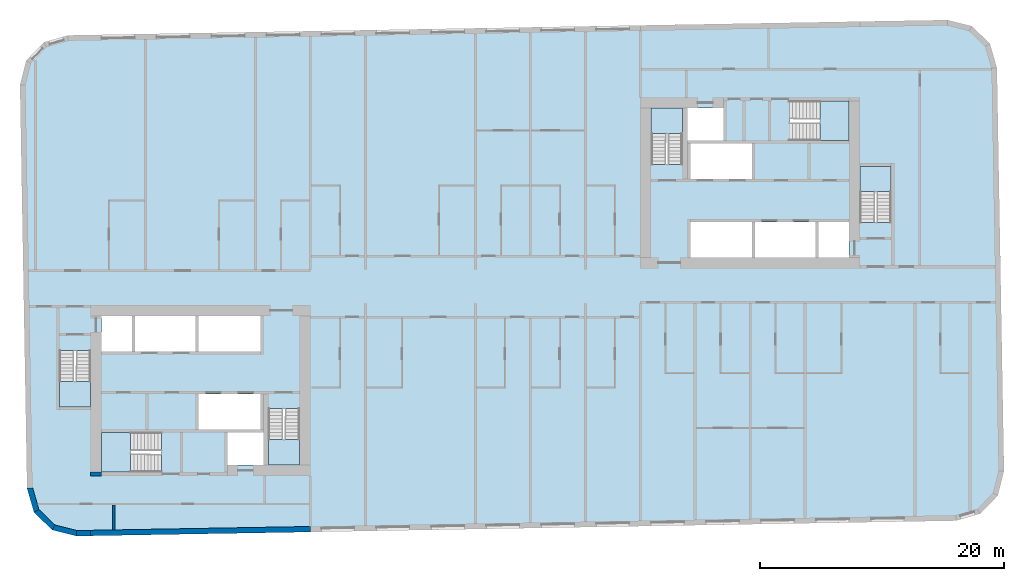
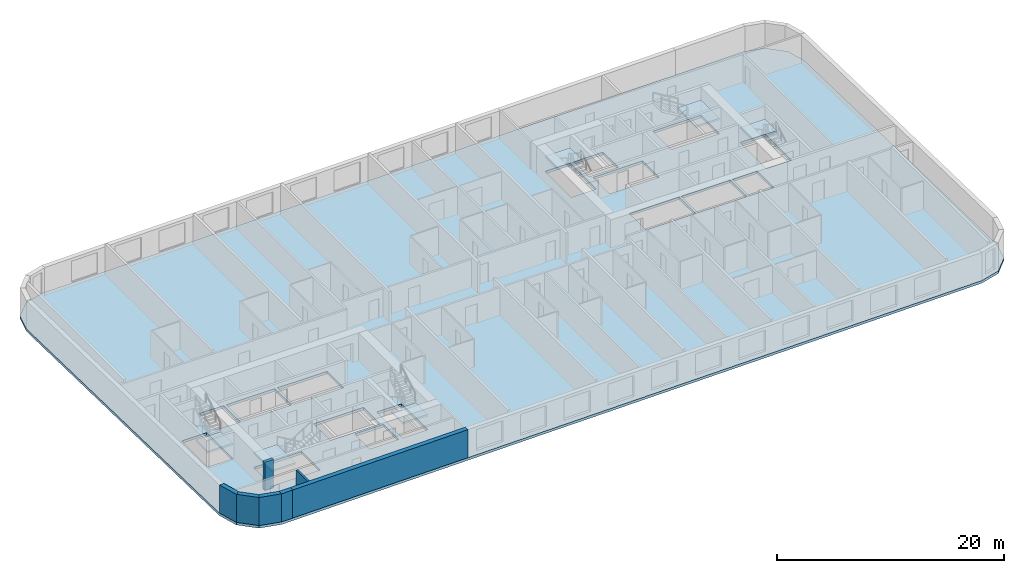
# One storey, part 1 of 11: 7 slabs, 7 walls, 6 elements without a shape of their own.
"""IFC4 building model written with IfcOpenShell, lengths in metres."""

from ifc_helpers import new_model, si_unit, direction, frame, frame_2d, origin, place, context, subcontext, project, spatial, polyline, rectangle, outline, extrude, material, layer, layer_set, type_object, element, aggregate, save


model = new_model("IFC4")

# Units and contexts
model_context = context("Model", 3, precision=1e-05, world=origin(), true_north=direction((0.0, 1.0)))
body_context = subcontext(model_context, "Body", "Model", "MODEL_VIEW")
ifc_project = project(units=[si_unit("LENGTHUNIT", "METRE"), si_unit("AREAUNIT", "SQUARE_METRE"), si_unit("VOLUMEUNIT", "CUBIC_METRE"), si_unit("PLANEANGLEUNIT", "RADIAN"), si_unit("MASSUNIT", "GRAM", prefix="KILO")], contexts=[model_context])

# Site, building, storey
site_placement = place(None, origin())
site = spatial("IfcSite", under=ifc_project, at=site_placement, CompositionType="ELEMENT")
building_placement = place(site_placement, origin())
building = spatial("IfcBuilding", under=site, at=building_placement, Name="Kajstack Hotel Tower", CompositionType="ELEMENT")
storey_placement = place(building_placement, frame((0.0, 0.0, 230.89990234375)))
storey = spatial("IfcBuildingStorey", under=building, at=storey_placement, Name="L56", CompositionType="ELEMENT", Elevation=230.89990234375)

# Slab
ifc_material_1 = material(Name="Concrete C40/50", Category="concrete")
ifc_layer_1 = layer(ifc_material_1, 0.280029296875)
ifc_layer_set_1 = layer_set([ifc_layer_1], Name="RC slab 280 C40/50 guest")
slab_type_1 = type_object("IfcSlabType", Name="RC slab 280 C40/50 guest", PredefinedType="FLOOR", material=ifc_layer_set_1)
slab_1_placement = place(storey_placement, frame((0.0, 0.0, -0.27978515625)))
element("IfcSlab", 1, at=slab_1_placement, inside=storey, type_object=slab_type_1, Name="S-slab-L56", PredefinedType="FLOOR", context=body_context, shape_type="SweptSolid", body=[
    extrude(outline(polyline([(-37.281982421875, 16.49951171875), (-36.705810546875, -16.49560546875), (-36.13525390625, -18.48583984375), (-34.645751953125, -19.92431640625), (-32.63671875, -20.42529296875), (39.352294921875, -19.168701171875), (41.342529296875, -18.597900390625), (42.781005859375, -17.1083984375), (43.281982421875, -15.099365234375), (42.705810546875, 17.8955078125), (42.13525390625, 19.885986328125), (40.645751953125, 21.32421875), (38.63671875, 21.8251953125), (-33.352294921875, 20.568603515625), (-35.342529296875, 19.997802734375), (-36.781005859375, 18.50830078125), (-37.281982421875, 16.49951171875)]), holes=[polyline([(-22.64990234375, -11.699951171875), (-22.64990234375, -8.800048828125), (-17.60009765625, -8.800048828125), (-17.60009765625, -11.699951171875), (-22.64990234375, -11.699951171875)]), polyline([(-27.85009765625, -5.300048828125), (-27.85009765625, -2.39990234375), (-22.89990234375, -2.39990234375), (-22.89990234375, -5.300048828125), (-27.85009765625, -5.300048828125)]), polyline([(-22.64990234375, -5.300048828125), (-22.64990234375, -2.39990234375), (-17.60009765625, -2.39990234375), (-17.60009765625, -5.300048828125), (-22.64990234375, -5.300048828125)]), polyline([(-20.300048828125, -14.60009765625), (-17.35009765625, -14.60009765625), (-17.35009765625, -11.949951171875), (-20.300048828125, -11.949951171875), (-20.300048828125, -14.60009765625)]), polyline([(-30.60009765625, -5.300048828125), (-28.10009765625, -5.300048828125), (-28.10009765625, -2.39990234375), (-30.60009765625, -2.39990234375), (-30.60009765625, -5.300048828125)]), polyline([(17.60009765625, 8.800048828125), (17.60009765625, 11.699951171875), (22.64990234375, 11.699951171875), (22.64990234375, 8.800048828125), (17.60009765625, 8.800048828125)]), polyline([(22.89990234375, 2.39990234375), (22.89990234375, 5.300048828125), (27.85009765625, 5.300048828125), (27.85009765625, 2.39990234375), (22.89990234375, 2.39990234375)]), polyline([(17.60009765625, 2.39990234375), (17.60009765625, 5.300048828125), (22.64990234375, 5.300048828125), (22.64990234375, 2.39990234375), (17.60009765625, 2.39990234375)]), polyline([(20.300048828125, 14.60009765625), (17.35009765625, 14.60009765625), (17.35009765625, 11.949951171875), (20.300048828125, 11.949951171875), (20.300048828125, 14.60009765625)]), polyline([(30.60009765625, 5.300048828125), (28.10009765625, 5.300048828125), (28.10009765625, 2.39990234375), (30.60009765625, 2.39990234375), (30.60009765625, 5.300048828125)]), polyline([(-34.050048828125, -9.85009765625), (-31.5, -9.85009765625), (-31.5, -5.25), (-34.050048828125, -5.25), (-34.050048828125, -9.85009765625)]), polyline([(-16.949951171875, -14.60009765625), (-14.39990234375, -14.60009765625), (-14.39990234375, -10.0), (-16.949951171875, -10.0), (-16.949951171875, -14.60009765625)]), polyline([(-30.60009765625, -15.199951171875), (-25.699951171875, -15.199951171875), (-25.699951171875, -11.949951171875), (-30.60009765625, -11.949951171875), (-30.60009765625, -15.199951171875)]), polyline([(34.050048828125, 9.85009765625), (31.5, 9.85009765625), (31.5, 5.25), (34.050048828125, 5.25), (34.050048828125, 9.85009765625)]), polyline([(16.949951171875, 14.60009765625), (14.39990234375, 14.60009765625), (14.39990234375, 10.0), (16.949951171875, 10.0), (16.949951171875, 14.60009765625)]), polyline([(30.60009765625, 15.199951171875), (25.699951171875, 15.199951171875), (25.699951171875, 11.949951171875), (30.60009765625, 11.949951171875), (30.60009765625, 15.199951171875)])]), origin(), (0.0, 0.0, 1.0), 0.27978515625),
])

# Stair, slab
stair_type_1 = type_object("IfcStairType", Name="Exit stair 1200", PredefinedType="HALF_TURN_STAIR", material=ifc_material_1)
stair_1_placement = place(storey_placement, origin())
stair_1 = element("IfcStair", 2, at=stair_1_placement, inside=storey, type_object=stair_type_1, Name="L56 stair W1", PredefinedType="HALF_TURN_STAIR")
ifc_layer_2 = layer(ifc_material_1, 0.199951171875)
ifc_layer_set_2 = layer_set([ifc_layer_2], Name="Stair landing 200")
slab_type_2 = type_object("IfcSlabType", Name="Stair landing 200", PredefinedType="LANDING", material=ifc_layer_set_2)
slab_2_placement = place(storey_placement, frame((0.0, 0.0, 1.4501953125)))
slab_2 = element("IfcSlab", 3, at=slab_2_placement, type_object=slab_type_2, Name="W1 landing 1", PredefinedType="LANDING", context=body_context, shape_type="SweptSolid", body=[
    extrude(outline(polyline([(-34.050048828125, -7.77001953125), (-34.050048828125, -9.85009765625), (-31.5, -9.85009765625), (-31.5, -7.77001953125), (-34.050048828125, -7.77001953125)])), origin(), (0.0, 0.0, 1.0), 0.199951171875),
])
aggregate(stair_1, [slab_2])

stair_2_placement = place(storey_placement, origin())
stair_2 = element("IfcStair", 4, at=stair_2_placement, inside=storey, type_object=stair_type_1, Name="L56 stair W2", PredefinedType="HALF_TURN_STAIR")
slab_3_placement = place(storey_placement, frame((0.0, 0.0, 1.4501953125)))
slab_3 = element("IfcSlab", 5, at=slab_3_placement, type_object=slab_type_2, Name="W2 landing 1", PredefinedType="LANDING", context=body_context, shape_type="SweptSolid", body=[
    extrude(outline(polyline([(-16.949951171875, -12.52001953125), (-16.949951171875, -14.60009765625), (-14.39990234375, -14.60009765625), (-14.39990234375, -12.52001953125), (-16.949951171875, -12.52001953125)])), origin(), (0.0, 0.0, 1.0), 0.199951171875),
])
aggregate(stair_2, [slab_3])

stair_type_2 = type_object("IfcStairType", Name="Exit stair 1500", PredefinedType="HALF_TURN_STAIR", material=ifc_material_1)
stair_3_placement = place(storey_placement, origin())
stair_3 = element("IfcStair", 6, at=stair_3_placement, inside=storey, type_object=stair_type_2, Name="L56 stair W3", PredefinedType="HALF_TURN_STAIR")
slab_4_placement = place(storey_placement, frame((0.0, 0.0, 1.4501953125)))
slab_4 = element("IfcSlab", 7, at=slab_4_placement, type_object=slab_type_2, Name="W3 landing 1", PredefinedType="LANDING", context=body_context, shape_type="SweptSolid", body=[
    extrude(outline(polyline([(-28.219970703125, -11.949951171875), (-30.60009765625, -11.949951171875), (-30.60009765625, -15.199951171875), (-28.219970703125, -15.199951171875), (-28.219970703125, -11.949951171875)])), origin(), (0.0, 0.0, 1.0), 0.199951171875),
])
aggregate(stair_3, [slab_4])

stair_4_placement = place(storey_placement, origin())
stair_4 = element("IfcStair", 8, at=stair_4_placement, inside=storey, type_object=stair_type_1, Name="L56 stair E1", PredefinedType="HALF_TURN_STAIR")
slab_5_placement = place(storey_placement, frame((0.0, 0.0, 1.4501953125)))
slab_5 = element("IfcSlab", 9, at=slab_5_placement, type_object=slab_type_2, Name="E1 landing 1", PredefinedType="LANDING", context=body_context, shape_type="SweptSolid", body=[
    extrude(outline(polyline([(34.050048828125, 7.77001953125), (34.050048828125, 9.85009765625), (31.5, 9.85009765625), (31.5, 7.77001953125), (34.050048828125, 7.77001953125)])), origin(), (0.0, 0.0, 1.0), 0.199951171875),
])
aggregate(stair_4, [slab_5])

stair_5_placement = place(storey_placement, origin())
stair_5 = element("IfcStair", 10, at=stair_5_placement, inside=storey, type_object=stair_type_1, Name="L56 stair E2", PredefinedType="HALF_TURN_STAIR")
slab_6_placement = place(storey_placement, frame((0.0, 0.0, 1.4501953125)))
slab_6 = element("IfcSlab", 11, at=slab_6_placement, type_object=slab_type_2, Name="E2 landing 1", PredefinedType="LANDING", context=body_context, shape_type="SweptSolid", body=[
    extrude(outline(polyline([(16.949951171875, 12.52001953125), (16.949951171875, 14.60009765625), (14.39990234375, 14.60009765625), (14.39990234375, 12.52001953125), (16.949951171875, 12.52001953125)])), origin(), (0.0, 0.0, 1.0), 0.199951171875),
])
aggregate(stair_5, [slab_6])

stair_6_placement = place(storey_placement, origin())
stair_6 = element("IfcStair", 12, at=stair_6_placement, inside=storey, type_object=stair_type_2, Name="L56 stair E3", PredefinedType="HALF_TURN_STAIR")
slab_7_placement = place(storey_placement, frame((0.0, 0.0, 1.4501953125)))
slab_7 = element("IfcSlab", 13, at=slab_7_placement, type_object=slab_type_2, Name="E3 landing 1", PredefinedType="LANDING", context=body_context, shape_type="SweptSolid", body=[
    extrude(outline(polyline([(28.219970703125, 11.949951171875), (30.60009765625, 11.949951171875), (30.60009765625, 15.199951171875), (28.219970703125, 15.199951171875), (28.219970703125, 11.949951171875)])), origin(), (0.0, 0.0, 1.0), 0.199951171875),
])
aggregate(stair_6, [slab_7])

# Walls
ifc_material_2 = material(Name="Concrete C60/75", Category="concrete")
ifc_layer_3 = layer(ifc_material_2, 0.89990234375)
ifc_layer_set_3 = layer_set([ifc_layer_3], Name="Core wall 900")
wall_type_1 = type_object("IfcWallType", Name="Core wall 900", PredefinedType="SHEAR", material=ifc_layer_set_3)
wall_1_placement = place(storey_placement, frame((-31.5, -15.35009765625, 0.0), z_axis=(0.0, 0.0, 1.0), x_axis=(1.0, 0.0, 0.0)))
element("IfcWall", 14, at=wall_1_placement, inside=storey, type_object=wall_type_1, Name="Core wall W RSW", PredefinedType="SHEAR", context=body_context, shape_type="SweptSolid", body=[
    extrude(rectangle(XDim=0.89990234375, YDim=0.300048828125, at=frame_2d((0.449951171875, 0.0))), origin(), (0.0, 0.0, 1.0), 3.02001953125),
])
ifc_layer_4 = layer(ifc_material_1, 0.449951171875)
ifc_layer_set_4 = layer_set([ifc_layer_4], Name="EW-CORE")
wall_type_2 = type_object("IfcWallType", Name="EW-CORE", PredefinedType="SOLIDWALL", material=ifc_layer_set_4)
wall_2_placement = place(storey_placement, frame((-31.50390625, -20.180419921875, 0.0), z_axis=(0.0, 0.0, 1.0), x_axis=(0.999847677887, 0.017453395744, 0.0)))
element("IfcWall", 15, at=wall_2_placement, inside=storey, type_object=wall_type_2, Name="E-wall-L56-04-01", PredefinedType="SOLIDWALL", context=body_context, shape_type="SweptSolid", body=[
    extrude(rectangle(XDim=18.002685546875, YDim=0.449951171875, at=frame_2d((9.00146484375, 0.0))), origin(), (0.0, 0.0, 1.0), 3.02001953125),
])
ifc_material_3 = material(Name="Terracotta-faced brick masonry", Category="masonry")
ifc_layer_5 = layer(ifc_material_3, 0.449951171875)
ifc_layer_set_5 = layer_set([ifc_layer_5], Name="EW-TERRA")
wall_type_3 = type_object("IfcWallType", Name="EW-TERRA", PredefinedType="SOLIDWALL", material=ifc_layer_set_5)
wall_3_placement = place(storey_placement, frame((-36.489501953125, -16.43359375, 0.0), z_axis=(0.0, 0.0, 1.0), x_axis=(0.275577603096, -0.961278827745, 0.0)))
element("IfcWall", 16, at=wall_3_placement, inside=storey, type_object=wall_type_3, Name="E-wall-L56-01-00", PredefinedType="SOLIDWALL", context=body_context, shape_type="SweptSolid", body=[
    extrude(outline(polyline([(0.0, -0.22509765625), (2.070556640625, -0.22509765625), (1.949951171875, 0.22509765625), (0.12060546875, 0.224853515625), (0.0, -0.22509765625)])), origin(), (0.0, 0.0, 1.0), 3.02001953125),
])
wall_4_placement = place(storey_placement, frame((-35.97900390625, -18.323974609375, 0.0), z_axis=(0.0, 0.0, 1.0), x_axis=(0.719320193998, -0.694678672846, 0.0)))
element("IfcWall", 17, at=wall_4_placement, inside=storey, type_object=wall_type_3, Name="E-wall-L56-02-00", PredefinedType="SOLIDWALL", context=body_context, shape_type="SweptSolid", body=[
    extrude(outline(polyline([(0.000244140625, -0.22509765625), (2.07080078125, -0.22509765625), (1.9501953125, 0.22509765625), (0.12060546875, 0.22509765625), (0.000244140625, -0.22509765625)])), origin(), (0.0, 0.0, 1.0), 3.02001953125),
])
wall_5_placement = place(storey_placement, frame((-34.59130859375, -19.7060546875, 0.0), z_axis=(0.0, 0.0, 1.0), x_axis=(0.970315655375, -0.241841950319, 0.0)))
element("IfcWall", 18, at=wall_5_placement, inside=storey, type_object=wall_type_3, Name="E-wall-L56-03-00", PredefinedType="SOLIDWALL", context=body_context, shape_type="SweptSolid", body=[
    extrude(outline(polyline([(0.0, -0.224853515625), (2.070556640625, -0.22509765625), (1.949951171875, 0.224853515625), (0.12060546875, 0.22509765625), (0.0, -0.224853515625)])), origin(), (0.0, 0.0, 1.0), 3.02001953125),
])
wall_6_placement = place(storey_placement, frame((-32.640625, -20.2001953125, 0.0), z_axis=(0.0, 0.0, 1.0), x_axis=(0.99984870815, 0.017394275206, 0.0)))
element("IfcWall", 19, at=wall_6_placement, inside=storey, type_object=wall_type_3, Name="E-wall-L56-04-00", PredefinedType="SOLIDWALL", context=body_context, shape_type="SweptSolid", body=[
    extrude(rectangle(XDim=1.136962890625, YDim=0.449951171875, at=frame_2d((0.568359375, 0.0))), origin(), (0.0, 0.0, 1.0), 3.02001953125),
])
ifc_material_4 = material(Name="Gypsum board on steel studs, mineral wool", Category="steel")
ifc_layer_6 = layer(ifc_material_4, 0.199951171875)
ifc_layer_set_6 = layer_set([ifc_layer_6], Name="Service partition 200")
wall_type_4 = type_object("IfcWallType", Name="Service partition 200", PredefinedType="PARTITIONING", material=ifc_layer_set_6)
wall_7_placement = place(storey_placement, frame((-29.60009765625, -19.92236328125, 0.0), z_axis=(0.0, 0.0, 1.0), x_axis=(0.0, 1.0, 0.0)))
element("IfcWall", 20, at=wall_7_placement, inside=storey, type_object=wall_type_4, Name="Partition W SLP0", PredefinedType="PARTITIONING", context=body_context, shape_type="SweptSolid", body=[
    extrude(rectangle(XDim=2.0224609375, YDim=0.199951171875, at=frame_2d((1.01123046875, 0.0))), origin(), (0.0, 0.0, 1.0), 3.02001953125),
])

save(model, "model.ifc")
